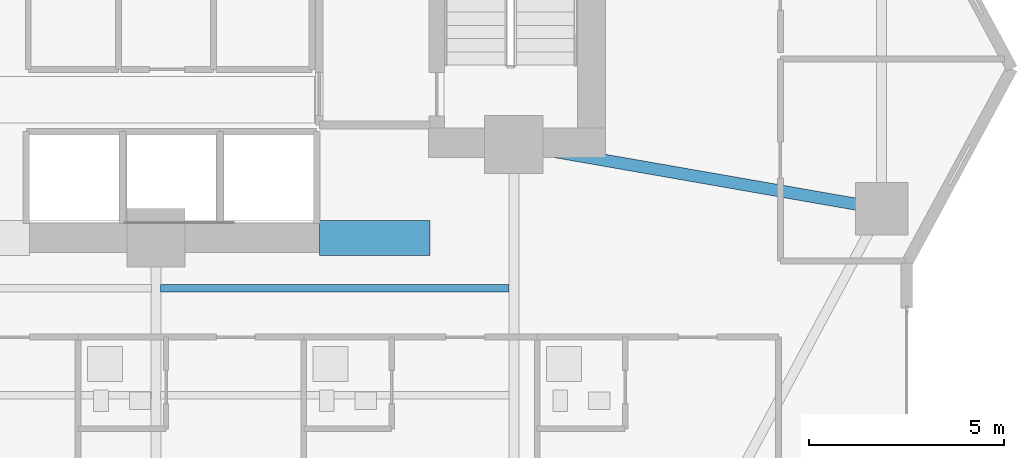
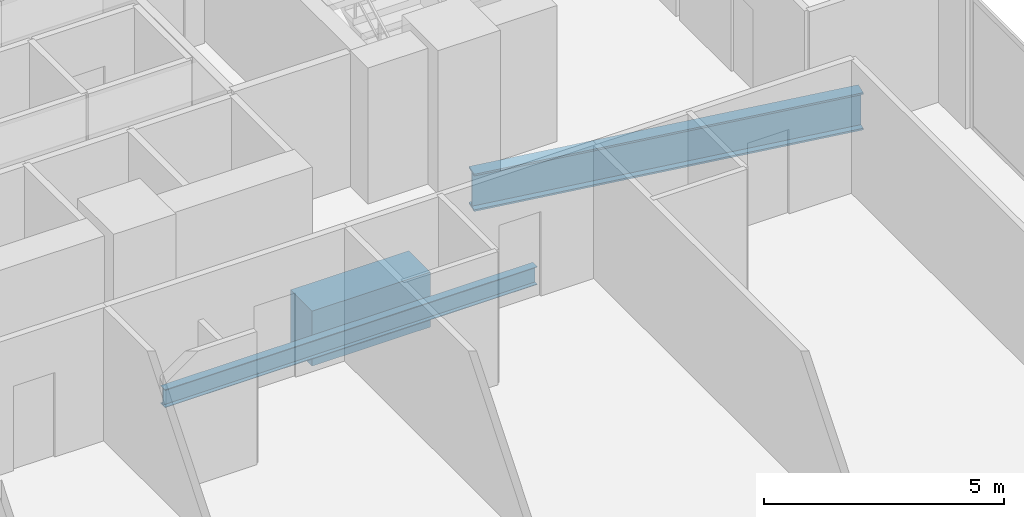
# One storey, part 12 of 29: 3 beams.
"""IFC4 building model written with IfcOpenShell, lengths in metres."""

from ifc_helpers import new_model, si_unit, direction, frame, origin, origin_2d, place, context, subcontext, project, spatial, rectangle, i_section, extrude, material, material_profile, profile_set, type_object, element, save


model = new_model("IFC4")

# Units and contexts
model_context = context("Model", 3, precision=1e-05, world=origin(), true_north=direction((0.0, 1.0)))
body_context = subcontext(model_context, "Body", "Model", "MODEL_VIEW")
ifc_project = project(units=[si_unit("LENGTHUNIT", "METRE"), si_unit("AREAUNIT", "SQUARE_METRE"), si_unit("VOLUMEUNIT", "CUBIC_METRE"), si_unit("PLANEANGLEUNIT", "RADIAN"), si_unit("MASSUNIT", "GRAM", prefix="KILO")], contexts=[model_context])

# Site, building, storey
site_placement = place(None, origin())
site = spatial("IfcSite", under=ifc_project, at=site_placement, CompositionType="ELEMENT")
building_placement = place(site_placement, origin())
building = spatial("IfcBuilding", under=site, at=building_placement, Name="Zuhayl Quay Hotel", CompositionType="ELEMENT")
storey_placement = place(building_placement, frame((0.0, 0.0, 158.550048828125)))
storey = spatial("IfcBuildingStorey", under=building, at=storey_placement, Name="L40", CompositionType="ELEMENT", Elevation=158.550048828125)

# Beams
ifc_material_1 = material(Name="Concrete C60/75", Category="concrete")
ifc_material_profile_1 = material_profile(ifc_material_1, rectangle(XDim=0.89990234375, YDim=1.39990234375, at=origin_2d()), Name="RC900X1400")
ifc_profile_set_1 = profile_set([ifc_material_profile_1], Name="Concrete C60/75")
beam_type_1 = type_object("IfcBeamType", Name="BM_CB1_RC900", PredefinedType="T_BEAM", material=ifc_profile_set_1)
beam_1_placement = place(storey_placement, frame((8.800048828125, 2.14990234375, -0.920166015625), z_axis=(1.0, 0.0, 0.0), x_axis=(0.0, 1.0, 0.0)))
element("IfcBeam", 1, at=beam_1_placement, inside=storey, type_object=beam_type_1, Name="L40 Core Coupling Beam SE", PredefinedType="T_BEAM", context=body_context, shape_type="SweptSolid", body=[
    extrude(rectangle(XDim=0.89990234375, YDim=1.39990234375, at=origin_2d()), origin(), (0.0, 0.0, 1.0), 2.849853515625),
])
ifc_material_2 = material(Name="Steel ASTM A992 Grade 50", Category="steel")
ifc_material_profile_2 = material_profile(ifc_material_2, i_section(OverallWidth=0.18994140625, OverallDepth=0.45703125, WebThickness=0.009033203125, FlangeThickness=0.014404296875, at=origin_2d()), Name="W18X50")
ifc_profile_set_2 = profile_set([ifc_material_profile_2], Name="Steel ASTM A992 Grade 50")
beam_type_2 = type_object("IfcBeamType", Name="BM_J2_W18X50", PredefinedType="JOIST", material=ifc_profile_set_2)
beam_2_placement = place(storey_placement, frame((4.718994140625, 0.85009765625, -0.448486328125), z_axis=(1.0, 0.0, 0.0), x_axis=(0.0, 1.0, 0.0)))
element("IfcBeam", 2, at=beam_2_placement, inside=storey, type_object=beam_type_2, Name="L40 Floor Beam FJ_L40_9_3", PredefinedType="JOIST", context=body_context, shape_type="SweptSolid", body=[
    extrude(i_section(OverallWidth=0.18994140625, OverallDepth=0.45703125, WebThickness=0.009033203125, FlangeThickness=0.014404296875, at=origin_2d()), origin(), (0.0, 0.0, 1.0), 8.9619140625),
])
ifc_material_profile_3 = material_profile(ifc_material_2, i_section(OverallWidth=0.31005859375, OverallDepth=0.949951171875, WebThickness=0.0244140625, FlangeThickness=0.0439453125, at=origin_2d()), Name="W36X256")
ifc_profile_set_3 = profile_set([ifc_material_profile_3], Name="Steel ASTM A992 Grade 50")
beam_type_3 = type_object("IfcBeamType", Name="BM_PG1_W36X256", PredefinedType="BEAM", material=ifc_profile_set_3)
beam_3_placement = place(storey_placement, frame((14.243408203125, 4.47265625, -0.695068359375), z_axis=(0.985097302632, -0.171997977741, 0.0), x_axis=(0.171997977741, 0.985097302632, 0.0)))
element("IfcBeam", 3, at=beam_3_placement, inside=storey, type_object=beam_type_3, Name="L40 Floor Beam FG_E_L40_1", PredefinedType="BEAM", context=body_context, shape_type="SweptSolid", body=[
    extrude(i_section(OverallWidth=0.31005859375, OverallDepth=0.949951171875, WebThickness=0.0244140625, FlangeThickness=0.0439453125, at=origin_2d()), origin(), (0.0, 0.0, 1.0), 8.64306640625),
])

save(model, "model.ifc")
